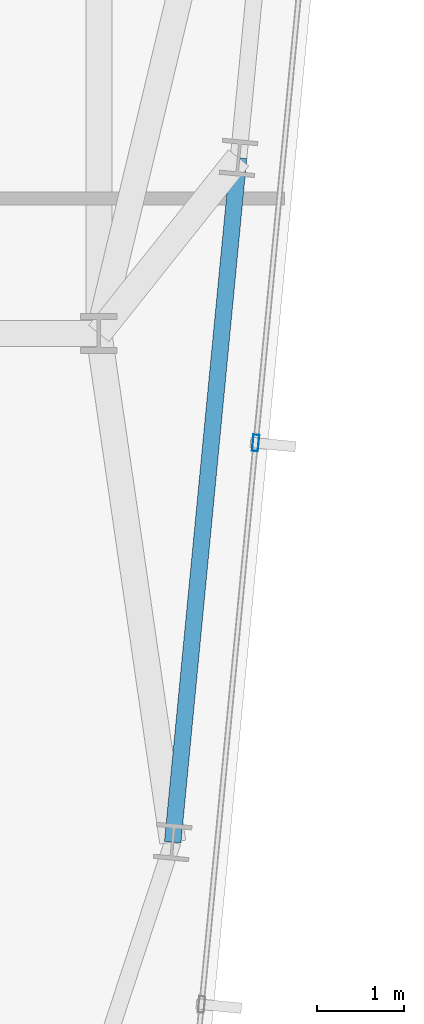
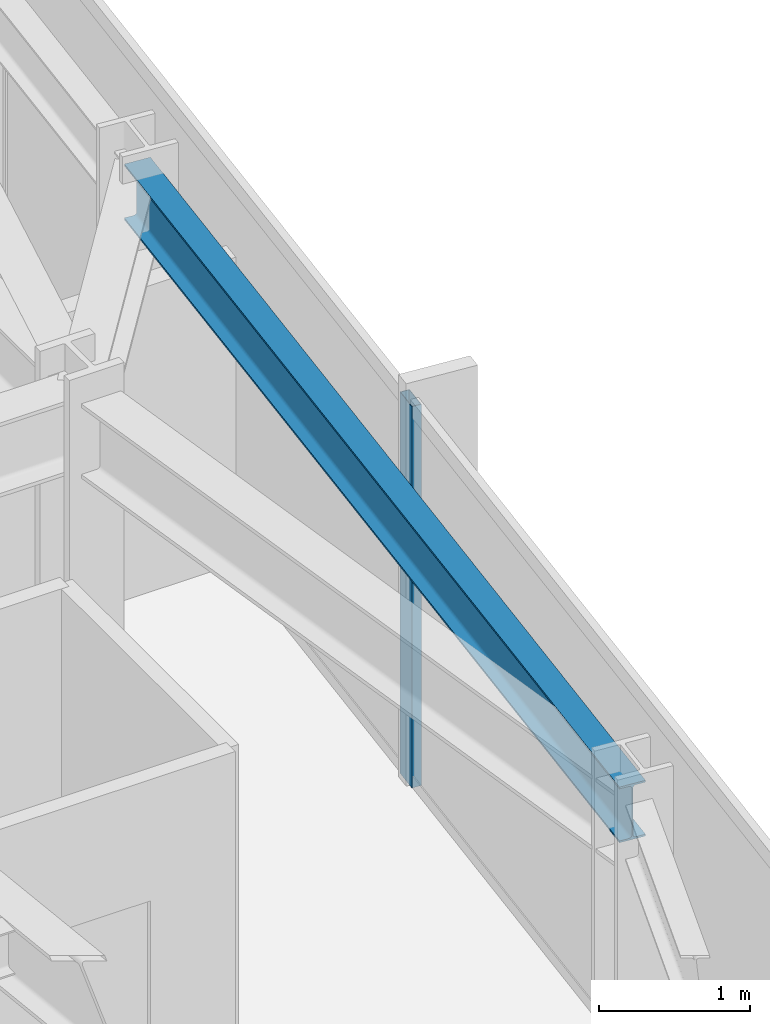
# One storey, part 16 of 38: 1 beam, 1 member, 1 element without a shape of its own.
"""IFC4 building model written with IfcOpenShell, lengths in metres."""

import ifcopenshell
import ifcopenshell.guid

model = None  # the IFC model being written
_history = None  # IfcOwnerHistory: only IFC2X3 demands one
_inside = {}  # id of a spatial element -> (the spatial element, [elements in it])
_under = {}  # id of a project, library or spatial element -> (it, [spatial elements below it])
_declared = {}  # id of a project -> (the project, [libraries it declares])
_typed = {}  # id of a type object -> (the type object, [elements of that type])
_made_of = {}  # id of a material, layer set ... -> (it, [elements and type objects made of it])


def new_model(schema):
    """Start an empty IFC model of exactly this schema.

    Asked for "IFC4X3", IfcOpenShell would pick the latest addendum, in which some entities
    have other attributes; the version numbers below select the first issue.
    IFC2X3 requires an IfcOwnerHistory on every rooted entity: one is made here for all.
    """
    global model, _history
    if schema == "IFC4X3":
        model = ifcopenshell.file(schema_version=(4, 3, 0, 0))
    else:
        model = ifcopenshell.file(schema=schema)
    _inside.clear()
    _under.clear()
    _declared.clear()
    _typed.clear()
    _made_of.clear()
    _history = None
    if model.schema == "IFC2X3":
        org = make("IfcOrganization", Name="unknown")
        user = make(
            "IfcPersonAndOrganization",
            ThePerson=make("IfcPerson", FamilyName="unknown"),
            TheOrganization=org,
        )
        app = make(
            "IfcApplication",
            ApplicationDeveloper=org,
            Version="unknown",
            ApplicationFullName="unknown",
            ApplicationIdentifier="unknown",
        )
        _history = make(
            "IfcOwnerHistory",
            OwningUser=user,
            OwningApplication=app,
            ChangeAction="ADDED",
            CreationDate=0,
        )
    return model


def make(cls, **values):
    """One entity of the class cls with the attributes given. An attribute that is None is left unset."""
    return model.create_entity(
        cls, **{name: value for name, value in values.items() if value is not None}
    )


def rooted(cls, **values):
    """An entity with a GlobalId (a new one), such as an element, a storey or a relation."""
    return make(cls, GlobalId=ifcopenshell.guid.new(), OwnerHistory=_history, **values)


def si_unit(unit_type, name, prefix=None):
    """IfcSIUnit, for example si_unit("LENGTHUNIT", "METRE", prefix="MILLI")."""
    return make("IfcSIUnit", UnitType=unit_type, Prefix=prefix, Name=name)


def assignment(units):
    """IfcUnitAssignment: the units of a project."""
    return None if units is None else make("IfcUnitAssignment", Units=units)


def point(xyz):
    """IfcCartesianPoint."""
    return None if xyz is None else make("IfcCartesianPoint", Coordinates=xyz)


def direction(xyz):
    """IfcDirection."""
    return None if xyz is None else make("IfcDirection", DirectionRatios=xyz)


def frame(location, z_axis=None, x_axis=None):
    """IfcAxis2Placement3D, a coordinate frame: its origin and axes. An axis left out is left unset."""
    return make(
        "IfcAxis2Placement3D",
        Location=point(location),
        Axis=direction(z_axis),
        RefDirection=direction(x_axis),
    )


def frame_2d(location, x_axis=None):
    """IfcAxis2Placement2D, a coordinate frame in the plane: its origin and x axis."""
    return make(
        "IfcAxis2Placement2D", Location=point(location), RefDirection=direction(x_axis)
    )


def origin():
    """The frame at (0, 0, 0) with its axes left unset."""
    return frame((0.0, 0.0, 0.0))


def origin_2d():
    """The frame at (0, 0) in the plane with its x axis left unset."""
    return frame_2d((0.0, 0.0))


def place(relative_to, where):
    """IfcLocalPlacement: puts the frame where relative to a parent placement (None: the world)."""
    return make(
        "IfcLocalPlacement", PlacementRelTo=relative_to, RelativePlacement=where
    )


def context(
    kind, dimensions, precision=None, world=None, true_north=None, identifier=None
):
    """IfcGeometricRepresentationContext, for example the 3D "Model" context."""
    return make(
        "IfcGeometricRepresentationContext",
        ContextIdentifier=identifier,
        ContextType=kind,
        CoordinateSpaceDimension=dimensions,
        Precision=precision,
        WorldCoordinateSystem=world,
        TrueNorth=true_north,
    )


def subcontext(parent, identifier, kind, view, scale=None):
    """IfcGeometricRepresentationSubContext, for example "Body" below "Model"."""
    return make(
        "IfcGeometricRepresentationSubContext",
        ContextIdentifier=identifier,
        ContextType=kind,
        ParentContext=parent,
        TargetScale=scale,
        TargetView=view,
    )


def project(units=None, contexts=None):
    """IfcProject with its units and contexts."""
    return rooted(
        "IfcProject",
        Name="project",
        RepresentationContexts=contexts,
        UnitsInContext=assignment(units),
    )


def spatial(cls, under=None, at=None, **own):
    """A site, building, storey or space (cls), placed at a placement, below another one or the project."""
    s = rooted(cls, ObjectPlacement=at, **own)
    if under is not None:
        _under.setdefault(under.id(), (under, []))[1].append(s)
    return s


def profile(cls, at=None, kind="AREA", **sizes):
    """A parametric profile (cls). Its sizes go by their IFC names, for example OverallWidth=200.0."""
    return make(cls, ProfileType=kind, Position=at, **sizes)


def hollow_rectangle(**sizes):
    """IfcRectangleHollowProfileDef."""
    return profile("IfcRectangleHollowProfileDef", **sizes)


def i_section(**sizes):
    """IfcIShapeProfileDef."""
    return profile("IfcIShapeProfileDef", **sizes)


def extrude(swept, where, along, depth):
    """IfcExtrudedAreaSolid: the profile swept, set in the frame where, extruded along a direction by depth."""
    return make(
        "IfcExtrudedAreaSolid",
        SweptArea=swept,
        Position=where,
        ExtrudedDirection=direction(along),
        Depth=depth,
    )


def shape(context_of_items, identifier, shape_type, items):
    """IfcShapeRepresentation: the items that make up one representation, for example the "Body"."""
    return make(
        "IfcShapeRepresentation",
        ContextOfItems=context_of_items,
        RepresentationIdentifier=identifier,
        RepresentationType=shape_type,
        Items=items,
    )


def material(Name=None, Category=None):
    """IfcMaterial."""
    return make("IfcMaterial", Name=Name, Category=Category)


def material_profile(
    of_material, cross_section, Name=None, Category=None, Priority=None
):
    """IfcMaterialProfile: a cross section and its material."""
    return make(
        "IfcMaterialProfile",
        Name=Name,
        Material=of_material,
        Profile=cross_section,
        Priority=Priority,
        Category=Category,
    )


def profile_set(profiles, Name=None, composite=None):
    """IfcMaterialProfileSet."""
    return make(
        "IfcMaterialProfileSet",
        Name=Name,
        MaterialProfiles=profiles,
        CompositeProfile=composite,
    )


def made_of(thing, what):
    """Note that an element or type object is made of a material, layer set ...; save() writes the relation."""
    if what is not None:
        _made_of.setdefault(what.id(), (what, []))[1].append(thing)
    return thing


def type_object(cls, material=None, **own):
    """A type object (cls), such as IfcWallType, which elements share."""
    return made_of(rooted(cls, **own), material)


def element(
    cls,
    number,
    at=None,
    inside=None,
    cuts=None,
    type_object=None,
    material=None,
    context=None,
    identifier="Body",
    shape_type=None,
    held_by="IfcProductDefinitionShape",
    body=None,
    shapes=None,
    **own,
):
    """One element of the class cls, such as IfcWall. Its Tag is "e" and its number.

    at: its placement. inside: the storey or other place that contains it. cuts: it is an
    opening in that element (IfcRelVoidsElement). A single representation is given by context,
    identifier, shape_type and body (its items); several are given by shapes. held_by: the class
    of the entity that holds the representations. save() writes the other relations.
    """
    e = rooted(cls, Tag="e%d" % number, ObjectPlacement=at, **own)
    if body is not None:
        shapes = [shape(context, identifier, shape_type, body)]
    if shapes is not None:
        e.Representation = make(held_by, Representations=shapes)
    if inside is not None:
        _inside.setdefault(inside.id(), (inside, []))[1].append(e)
    if cuts is not None:
        rooted(
            "IfcRelVoidsElement", RelatingBuildingElement=cuts, RelatedOpeningElement=e
        )
    if type_object is not None:
        _typed.setdefault(type_object.id(), (type_object, []))[1].append(e)
    return made_of(e, material)


def aggregate(whole, parts):
    """IfcRelAggregates: a whole, such as a stair, and the parts it consists of."""
    return rooted("IfcRelAggregates", RelatingObject=whole, RelatedObjects=parts)


def save(model, path):
    """Write the relations noted so far, then the file.

    IfcRelAggregates (storeys below a building ...), IfcRelContainedInSpatialStructure (elements
    in a storey), IfcRelDefinesByType, IfcRelAssociatesMaterial and IfcRelDeclares: one each for
    every whole, place, type object, material and project.
    """
    for whole, parts in _under.values():
        aggregate(whole, parts)
    for where, things in _inside.values():
        rooted(
            "IfcRelContainedInSpatialStructure",
            RelatedElements=things,
            RelatingStructure=where,
        )
    for kind, things in _typed.values():
        rooted("IfcRelDefinesByType", RelatedObjects=things, RelatingType=kind)
    for what, things in _made_of.values():
        rooted("IfcRelAssociatesMaterial", RelatedObjects=things, RelatingMaterial=what)
    for by, libraries in _declared.values():
        rooted("IfcRelDeclares", RelatingContext=by, RelatedDefinitions=libraries)
    model.write(path)


model = new_model("IFC4")

# Units and contexts
model_context = context("Model", 3, precision=1e-05, world=origin(), true_north=direction((0.0, 1.0)))
body_context = subcontext(model_context, "Body", "Model", "MODEL_VIEW")
ifc_project = project(units=[si_unit("LENGTHUNIT", "METRE"), si_unit("AREAUNIT", "SQUARE_METRE"), si_unit("VOLUMEUNIT", "CUBIC_METRE"), si_unit("PLANEANGLEUNIT", "RADIAN"), si_unit("MASSUNIT", "GRAM", prefix="KILO")], contexts=[model_context])

# Site, building, storey
site_placement = place(None, origin())
site = spatial("IfcSite", under=ifc_project, at=site_placement, CompositionType="ELEMENT")
building_placement = place(site_placement, origin())
building = spatial("IfcBuilding", under=site, at=building_placement, Name="Yelkora Congress Tower", CompositionType="ELEMENT")
storey_placement = place(building_placement, frame((0.0, 0.0, 172.10009765625)))
storey = spatial("IfcBuildingStorey", under=building, at=storey_placement, Name="L47", CompositionType="ELEMENT", Elevation=172.10009765625)

# Beam
ifc_material_1 = material(Name="Steel S355J2", Category="steel")
ifc_material_profile_1 = material_profile(ifc_material_1, i_section(OverallWidth=0.18994140625, OverallDepth=0.449951171875, WebThickness=0.009521484375, FlangeThickness=0.0146484375, FilletRadius=0.02099609375, at=origin_2d()), Name="IPE 450")
ifc_profile_set_1 = profile_set([ifc_material_profile_1], Name="Steel S355J2")
beam_type = type_object("IfcBeamType", Name="BM-SPAN-IPE450", PredefinedType="SPANDREL", material=ifc_profile_set_1)
beam_placement = place(storey_placement, frame((58.44921875, 19.353759765625, 2.85498046875), z_axis=(0.095831353931, 0.995397584689, 0.0), x_axis=(-0.995397584689, 0.095831353931, 0.0)))
element("IfcBeam", 1, at=beam_placement, inside=storey, type_object=beam_type, Name="L47 Perimeter Beam 10", PredefinedType="SPANDREL", context=body_context, shape_type="SweptSolid", body=[
    extrude(i_section(OverallWidth=0.18994140625, OverallDepth=0.449951171875, WebThickness=0.009521484375, FlangeThickness=0.0146484375, FilletRadius=0.02099609375, at=origin_2d()), origin(), (0.0, 0.0, 1.0), 7.900146484375),
])

# Curtain wall, member
ifc_material_2 = material(Name="Anodised aluminium and insulated glass", Category="aluminium")
curtain_wall_type = type_object("IfcCurtainWallType", Name="CW-SYS-B3", PredefinedType="NOTDEFINED", material=ifc_material_2)
curtain_wall_placement = place(storey_placement, origin())
curtain_wall = element("IfcCurtainWall", 2, at=curtain_wall_placement, inside=storey, type_object=curtain_wall_type, Name="L47 Unitised Curtain Wall 15", PredefinedType="NOTDEFINED")
ifc_material_3 = material(Name="Anodised aluminium 6063-T6", Category="aluminium")
ifc_material_profile_2 = material_profile(ifc_material_3, hollow_rectangle(XDim=0.070068359375, YDim=0.18994140625, WallThickness=0.00390625, at=origin_2d()), Name="ALU 70x190x4")
ifc_profile_set_2 = profile_set([ifc_material_profile_2], Name="Anodised aluminium 6063-T6")
member_type = type_object("IfcMemberType", Name="MEM-ML-B3", PredefinedType="MULLION", material=ifc_profile_set_2)
member_placement = place(storey_placement, frame((59.4033203125, 23.94140625, 0.0), z_axis=(0.0, 0.0, 1.0), x_axis=(0.995396565076, -0.095841944023, 0.0)))
member = element("IfcMember", 3, at=member_placement, type_object=member_type, Name="CW-B3 mullion 4", PredefinedType="MULLION", context=body_context, shape_type="SweptSolid", body=[
    extrude(hollow_rectangle(XDim=0.070068359375, YDim=0.18994140625, WallThickness=0.00390625, at=origin_2d()), origin(), (0.0, 0.0, 1.0), 3.079833984375),
])
aggregate(curtain_wall, [member])

save(model, "model.ifc")
